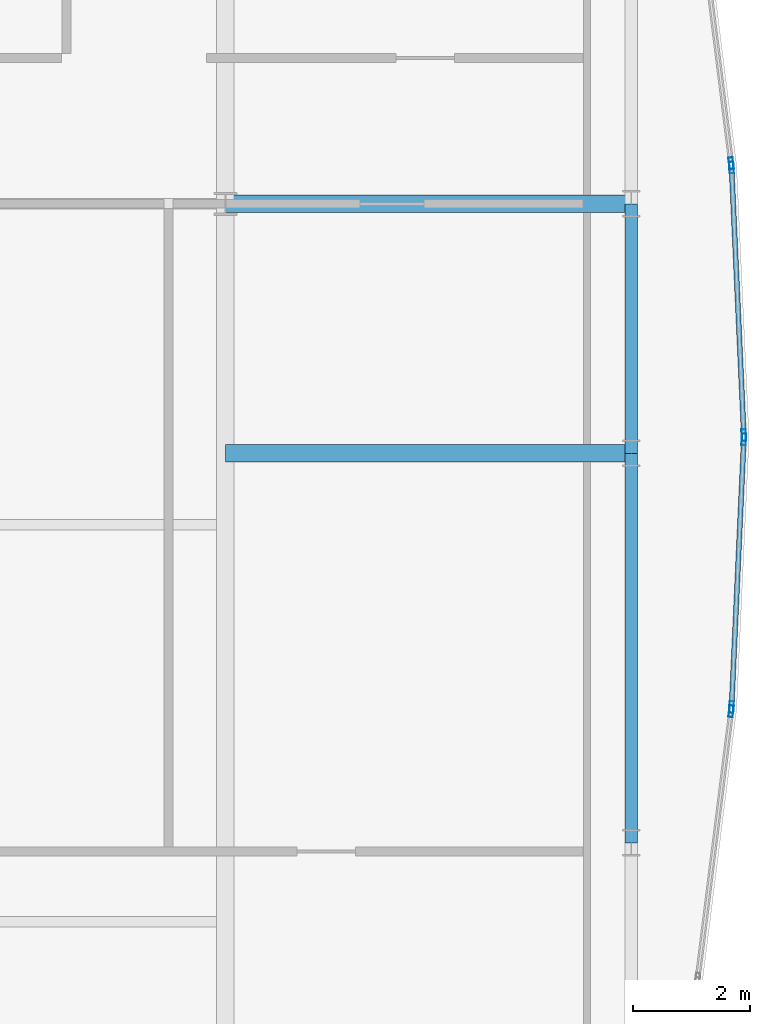
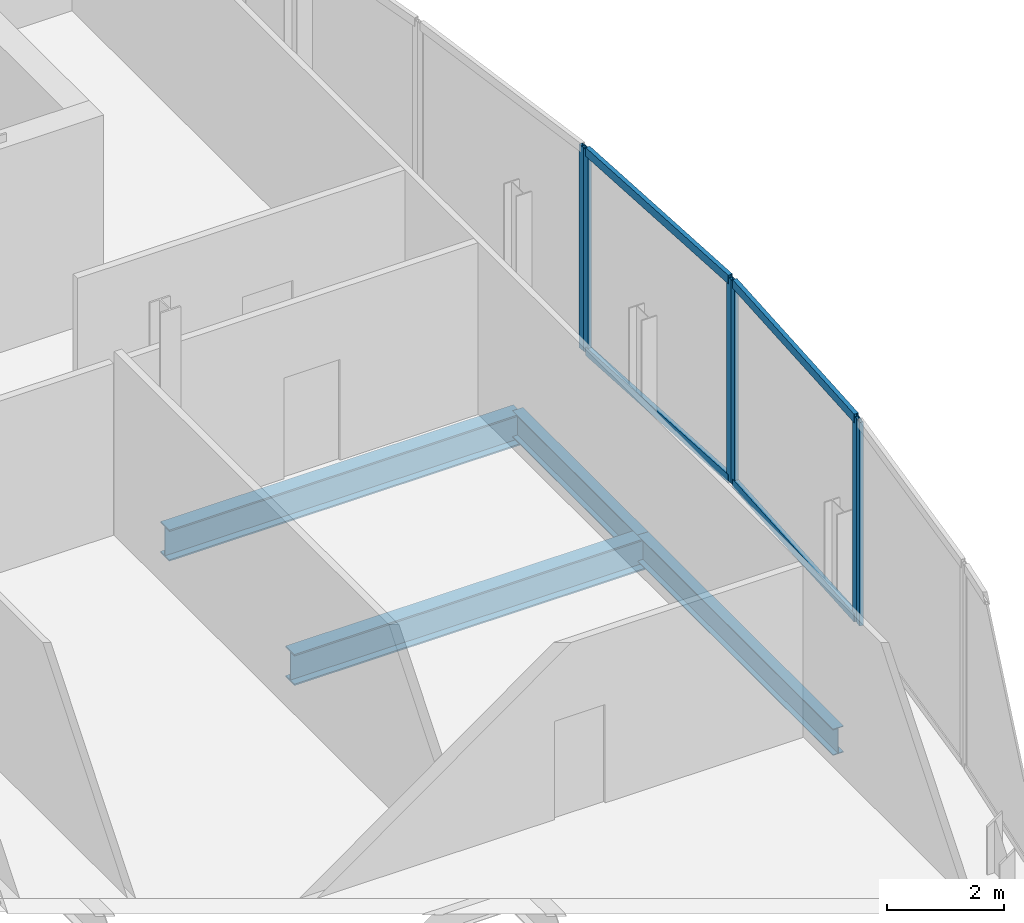
# One storey, part 16 of 27: 10 members, 4 beams, 4 elements without a shape of their own.
"""IFC4 building model written with IfcOpenShell, lengths in metres."""

from ifc_helpers import new_model, si_unit, direction, frame, origin, origin_2d, place, context, subcontext, project, spatial, hollow_rectangle, i_section, extrude, material, material_profile, profile_set, type_object, element, aggregate, save


model = new_model("IFC4")

# Units and contexts
model_context = context("Model", 3, precision=1e-05, world=origin(), true_north=direction((0.0, 1.0)))
body_context = subcontext(model_context, "Body", "Model", "MODEL_VIEW")
ifc_project = project(units=[si_unit("LENGTHUNIT", "METRE"), si_unit("AREAUNIT", "SQUARE_METRE"), si_unit("VOLUMEUNIT", "CUBIC_METRE"), si_unit("PLANEANGLEUNIT", "RADIAN"), si_unit("MASSUNIT", "GRAM", prefix="KILO")], contexts=[model_context])

# Site, building, storey
site_placement = place(None, origin())
site = spatial("IfcSite", under=ifc_project, at=site_placement, CompositionType="ELEMENT")
building_placement = place(site_placement, origin())
building = spatial("IfcBuilding", under=site, at=building_placement, Name="Khoronbel Lancet Exchange", CompositionType="ELEMENT")
storey_placement = place(building_placement, frame((0.0, 0.0, 305.800048828125)))
storey = spatial("IfcBuildingStorey", under=building, at=storey_placement, Name="L79", CompositionType="ELEMENT", Elevation=305.800048828125)

# Beams
ifc_material_1 = material(Name="Steel S355", Category="steel")
ifc_material_profile_1 = material_profile(ifc_material_1, i_section(OverallWidth=0.300048828125, OverallDepth=0.64990234375, WebThickness=0.01611328125, FlangeThickness=0.031005859375, at=origin_2d()), Name="HEB 650")
ifc_profile_set_1 = profile_set([ifc_material_profile_1], Name="Steel S355")
beam_type_1 = type_object("IfcBeamType", Name="BM-BG4", PredefinedType="BEAM", material=ifc_profile_set_1)
for number, where, z_axis, x_axis, name in (
    (1, (54.675048828125, 31.425048828125, -0.545166015625), (1.0, 0.0, 0.0), (0.0, 1.0, 0.0), "Level L79 east lens tie girder LG2E"),
    (2, (54.675048828125, 35.699951171875, -0.545166015625), (1.0, 0.0, 0.0), (0.0, 1.0, 0.0), "Level L79 east lens tie girder LG4E"),
):
    element("IfcBeam", number, at=place(storey_placement, frame(where, z_axis=z_axis, x_axis=x_axis)), inside=storey, type_object=beam_type_1, Name=name, PredefinedType="BEAM", context=body_context, shape_type="SweptSolid", body=[
        extrude(i_section(OverallWidth=0.300048828125, OverallDepth=0.64990234375, WebThickness=0.01611328125, FlangeThickness=0.031005859375, at=origin_2d()), origin(), (0.0, 0.0, 1.0), 6.954833984375),
    ])
ifc_material_profile_2 = material_profile(ifc_material_1, i_section(OverallWidth=0.2099609375, OverallDepth=0.550048828125, WebThickness=0.010986328125, FlangeThickness=0.01708984375, at=origin_2d()), Name="IPE 550")
ifc_profile_set_2 = profile_set([ifc_material_profile_2], Name="Steel S355")
beam_type_2 = type_object("IfcBeamType", Name="BM-BSP3", PredefinedType="SPANDREL", material=ifc_profile_set_2)
beam_1_placement = place(storey_placement, frame((61.6298828125, 24.75, -0.4951171875), z_axis=(0.0, 1.0, 0.0), x_axis=(-1.0, 0.0, 0.0)))
element("IfcBeam", 3, at=beam_1_placement, inside=storey, type_object=beam_type_2, Name="Level L79 perimeter spandrel beam SP10", PredefinedType="SPANDREL", context=body_context, shape_type="SweptSolid", body=[
    extrude(i_section(OverallWidth=0.2099609375, OverallDepth=0.550048828125, WebThickness=0.010986328125, FlangeThickness=0.01708984375, at=origin_2d()), origin(), (0.0, 0.0, 1.0), 6.675048828125),
])
beam_2_placement = place(storey_placement, frame((61.6298828125, 31.425048828125, -0.4951171875), z_axis=(0.0, 1.0, 0.0), x_axis=(-1.0, 0.0, 0.0)))
element("IfcBeam", 4, at=beam_2_placement, inside=storey, type_object=beam_type_2, Name="Level L79 perimeter spandrel beam SP11", PredefinedType="SPANDREL", context=body_context, shape_type="SweptSolid", body=[
    extrude(i_section(OverallWidth=0.2099609375, OverallDepth=0.550048828125, WebThickness=0.010986328125, FlangeThickness=0.01708984375, at=origin_2d()), origin(), (0.0, 0.0, 1.0), 4.27490234375),
])

# Curtain wall, member
ifc_material_2 = material(Name="Low-E Solar Control Insulating Glass", Category="glass")
curtain_wall_type = type_object("IfcCurtainWallType", Name="CW-4", PredefinedType="NOTDEFINED", material=ifc_material_2)
curtain_wall_1_placement = place(storey_placement, origin())
curtain_wall_1 = element("IfcCurtainWall", 5, at=curtain_wall_1_placement, inside=storey, type_object=curtain_wall_type, Name="Unitised curtain wall CW-L79-E18", PredefinedType="NOTDEFINED")
ifc_material_3 = material(Name="Bronze-Anodised Aluminium 6063-T6", Category="aluminium")
ifc_material_profile_3 = material_profile(ifc_material_3, hollow_rectangle(XDim=0.074951171875, YDim=0.199951171875, WallThickness=0.0048828125, at=origin_2d()), Name="ALU MULLION 75x200")
ifc_profile_set_3 = profile_set([ifc_material_profile_3], Name="Bronze-Anodised Aluminium 6063-T6")
member_type_1 = type_object("IfcMemberType", Name="MEM-CWM2", PredefinedType="MULLION", material=ifc_profile_set_3)
member_1_placement = place(storey_placement, frame((63.34130859375, 36.396240234375, 0.0), z_axis=(0.0, 0.0, 1.0), x_axis=(0.992218486687, 0.124508934127, 0.0)))
member_1 = element("IfcMember", 6, at=member_1_placement, type_object=member_type_1, Name="CW4 mullion 2", PredefinedType="MULLION", context=body_context, shape_type="SweptSolid", body=[
    extrude(hollow_rectangle(XDim=0.074951171875, YDim=0.199951171875, WallThickness=0.0048828125, at=origin_2d()), origin(), (0.0, 0.0, 1.0), 4.239990234375),
])
aggregate(curtain_wall_1, [member_1])

# Curtain wall, members
curtain_wall_2_placement = place(storey_placement, origin())
curtain_wall_2 = element("IfcCurtainWall", 7, at=curtain_wall_2_placement, inside=storey, type_object=curtain_wall_type, Name="Unitised curtain wall CW-L79-E19", PredefinedType="NOTDEFINED")
member_2_placement = place(storey_placement, frame((63.34765625, 36.321533203125, 0.0), z_axis=(0.0, 0.0, 1.0), x_axis=(0.998946764263, 0.045884225704, 0.0)))
member_2 = element("IfcMember", 8, at=member_2_placement, type_object=member_type_1, Name="CW4 mullion 1", PredefinedType="MULLION", context=body_context, shape_type="SweptSolid", body=[
    extrude(hollow_rectangle(XDim=0.074951171875, YDim=0.199951171875, WallThickness=0.0048828125, at=origin_2d()), origin(), (0.0, 0.0, 1.0), 4.239990234375),
])
member_3_placement = place(storey_placement, frame((63.55810546875, 31.737548828125, 0.0), z_axis=(0.0, 0.0, 1.0), x_axis=(0.998946764263, 0.045884225704, 0.0)))
member_3 = element("IfcMember", 9, at=member_3_placement, type_object=member_type_1, Name="CW4 mullion 2", PredefinedType="MULLION", context=body_context, shape_type="SweptSolid", body=[
    extrude(hollow_rectangle(XDim=0.074951171875, YDim=0.199951171875, WallThickness=0.0048828125, at=origin_2d()), origin(), (0.0, 0.0, 1.0), 4.239990234375),
])

curtain_wall_3_placement = place(storey_placement, origin())
curtain_wall_3 = element("IfcCurtainWall", 10, at=curtain_wall_3_placement, inside=storey, type_object=curtain_wall_type, Name="Unitised curtain wall CW-L79-E20", PredefinedType="NOTDEFINED")
member_4_placement = place(storey_placement, frame((63.55810546875, 31.66259765625, 0.0), z_axis=(0.0, 0.0, 1.0), x_axis=(0.998946764263, -0.045884225704, 0.0)))
member_4 = element("IfcMember", 11, at=member_4_placement, type_object=member_type_1, Name="CW4 mullion 1", PredefinedType="MULLION", context=body_context, shape_type="SweptSolid", body=[
    extrude(hollow_rectangle(XDim=0.074951171875, YDim=0.199951171875, WallThickness=0.0048828125, at=origin_2d()), origin(), (0.0, 0.0, 1.0), 4.239990234375),
])
member_5_placement = place(storey_placement, frame((63.34765625, 27.078369140625, 0.0), z_axis=(0.0, 0.0, 1.0), x_axis=(0.998946764263, -0.045884225704, 0.0)))
member_5 = element("IfcMember", 12, at=member_5_placement, type_object=member_type_1, Name="CW4 mullion 2", PredefinedType="MULLION", context=body_context, shape_type="SweptSolid", body=[
    extrude(hollow_rectangle(XDim=0.074951171875, YDim=0.199951171875, WallThickness=0.0048828125, at=origin_2d()), origin(), (0.0, 0.0, 1.0), 4.239990234375),
])

# Curtain wall, member
curtain_wall_4_placement = place(storey_placement, origin())
curtain_wall_4 = element("IfcCurtainWall", 13, at=curtain_wall_4_placement, inside=storey, type_object=curtain_wall_type, Name="Unitised curtain wall CW-L79-E21", PredefinedType="NOTDEFINED")
member_6_placement = place(storey_placement, frame((63.34130859375, 27.00390625, 0.0), z_axis=(0.0, 0.0, 1.0), x_axis=(0.992218486687, -0.124508934127, 0.0)))
member_6 = element("IfcMember", 14, at=member_6_placement, type_object=member_type_1, Name="CW4 mullion 1", PredefinedType="MULLION", context=body_context, shape_type="SweptSolid", body=[
    extrude(hollow_rectangle(XDim=0.074951171875, YDim=0.199951171875, WallThickness=0.0048828125, at=origin_2d()), origin(), (0.0, 0.0, 1.0), 4.239990234375),
])
aggregate(curtain_wall_4, [member_6])

# Member
ifc_material_profile_4 = material_profile(ifc_material_3, hollow_rectangle(XDim=0.0849609375, YDim=0.179931640625, WallThickness=0.0048828125, at=origin_2d()), Name="ALU TRANSOM 85x180")
ifc_profile_set_4 = profile_set([ifc_material_profile_4], Name="Bronze-Anodised Aluminium 6063-T6")
member_type_2 = type_object("IfcMemberType", Name="MEM-CWT1", PredefinedType="USERDEFINED", material=ifc_profile_set_4)
member_7_placement = place(storey_placement, frame((63.349365234375, 36.2841796875, 0.04248046875), z_axis=(0.045863976429, -0.998947694159, 0.0), x_axis=(0.998947694159, 0.045863976429, 0.0)))
member_7 = element("IfcMember", 15, at=member_7_placement, type_object=member_type_2, Name="CW4 transom 1.1", ObjectType="TRANSOM", PredefinedType="USERDEFINED", context=body_context, shape_type="SweptSolid", body=[
    extrude(hollow_rectangle(XDim=0.0849609375, YDim=0.179931640625, WallThickness=0.0048828125, at=origin_2d()), origin(), (0.0, 0.0, 1.0), 4.513916015625),
])

member_8_placement = place(storey_placement, frame((63.349365234375, 36.2841796875, 4.197509765625), z_axis=(0.045863976429, -0.998947694159, 0.0), x_axis=(0.998947694159, 0.045863976429, 0.0)))
member_8 = element("IfcMember", 16, at=member_8_placement, type_object=member_type_2, Name="CW4 transom 1.2", ObjectType="TRANSOM", PredefinedType="USERDEFINED", context=body_context, shape_type="SweptSolid", body=[
    extrude(hollow_rectangle(XDim=0.0849609375, YDim=0.179931640625, WallThickness=0.0048828125, at=origin_2d()), origin(), (0.0, 0.0, 1.0), 4.513916015625),
])

aggregate(curtain_wall_2, [member_2, member_3, member_7, member_8])

member_9_placement = place(storey_placement, frame((63.556396484375, 31.625, 0.04248046875), z_axis=(-0.0458664545, -0.998947580382, 0.0), x_axis=(0.998947580382, -0.0458664545, 0.0)))
member_9 = element("IfcMember", 17, at=member_9_placement, type_object=member_type_2, Name="CW4 transom 1.1", ObjectType="TRANSOM", PredefinedType="USERDEFINED", context=body_context, shape_type="SweptSolid", body=[
    extrude(hollow_rectangle(XDim=0.0849609375, YDim=0.179931640625, WallThickness=0.0048828125, at=origin_2d()), origin(), (0.0, 0.0, 1.0), 4.513671875),
])

member_10_placement = place(storey_placement, frame((63.556396484375, 31.625, 4.197509765625), z_axis=(-0.0458664545, -0.998947580382, 0.0), x_axis=(0.998947580382, -0.0458664545, 0.0)))
member_10 = element("IfcMember", 18, at=member_10_placement, type_object=member_type_2, Name="CW4 transom 1.2", ObjectType="TRANSOM", PredefinedType="USERDEFINED", context=body_context, shape_type="SweptSolid", body=[
    extrude(hollow_rectangle(XDim=0.0849609375, YDim=0.179931640625, WallThickness=0.0048828125, at=origin_2d()), origin(), (0.0, 0.0, 1.0), 4.513671875),
])

aggregate(curtain_wall_3, [member_4, member_5, member_9, member_10])

save(model, "model.ifc")
